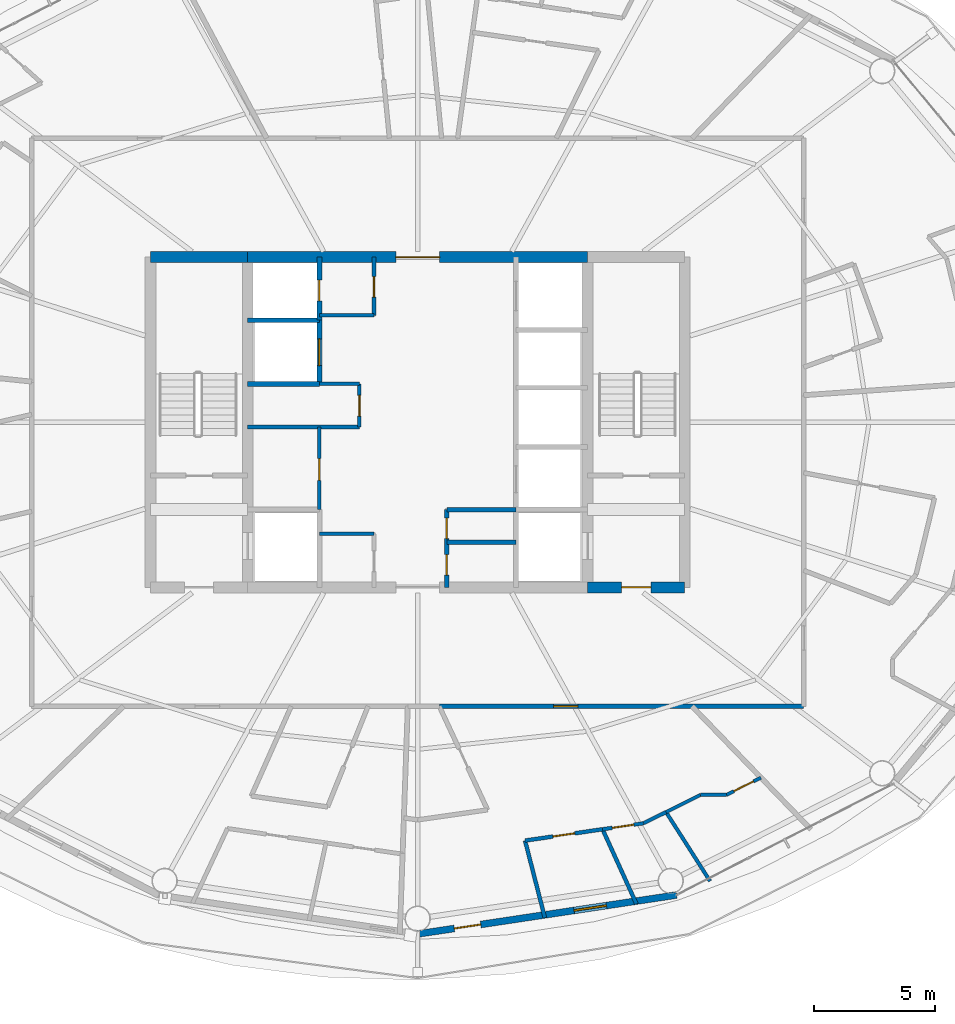
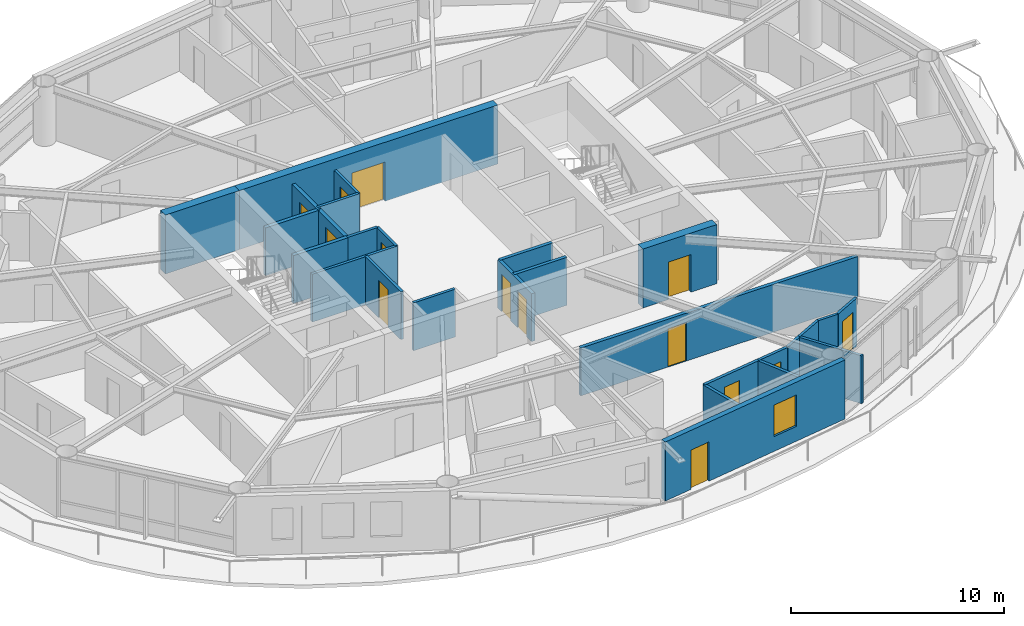
# One storey, part 21 of 27: 28 walls, 14 doors, 1 window, 15 openings.
"""IFC4 building model written with IfcOpenShell, lengths in metres."""

from ifc_helpers import new_model, si_unit, direction, frame, frame_2d, origin, place, context, subcontext, project, spatial, rectangle, extrude, material, layer, layer_set, type_object, element, fill, save


model = new_model("IFC4")

# Units and contexts
model_context = context("Model", 3, precision=1e-05, world=origin(), true_north=direction((0.0, 1.0)))
body_context = subcontext(model_context, "Body", "Model", "MODEL_VIEW")
ifc_project = project(units=[si_unit("LENGTHUNIT", "METRE"), si_unit("AREAUNIT", "SQUARE_METRE"), si_unit("VOLUMEUNIT", "CUBIC_METRE"), si_unit("PLANEANGLEUNIT", "RADIAN"), si_unit("MASSUNIT", "GRAM", prefix="KILO")], contexts=[model_context])

# Site, building, storey
site_placement = place(None, origin())
site = spatial("IfcSite", under=ifc_project, at=site_placement, CompositionType="ELEMENT")
building_placement = place(site_placement, origin())
building = spatial("IfcBuilding", under=site, at=building_placement, Name="Sarneth Arch Tower", CompositionType="ELEMENT")
storey_placement = place(building_placement, frame((0.0, 0.0, 157.800048828125)))
storey = spatial("IfcBuildingStorey", under=building, at=storey_placement, Name="L39", CompositionType="ELEMENT", Elevation=157.800048828125)

# Wall, opening, door
ifc_material_1 = material(Name="Concrete C50/60", Category="concrete")
ifc_layer_1 = layer(ifc_material_1, 0.449951171875)
ifc_layer_set_1 = layer_set([ifc_layer_1], Name="Concrete C50/60")
wall_type_1 = type_object("IfcWallType", Name="WALL-CORE-450", PredefinedType="SHEAR", material=ifc_layer_set_1)
wall_1_placement = place(storey_placement, frame((55.0, 35.199951171875, 0.0), z_axis=(0.0, 0.0, 1.0), x_axis=(1.0, 0.0, 0.0)))
wall_1 = element("IfcWall", 1, at=wall_1_placement, inside=storey, type_object=wall_type_1, Name="L39 Core shear wall S-E", PredefinedType="SHEAR", context=body_context, shape_type="SweptSolid", body=[
    extrude(rectangle(XDim=4.0, YDim=0.449951171875, at=frame_2d((2.0, 0.0))), origin(), (0.0, 0.0, 1.0), 3.3798828125),
])
opening_1_placement = place(wall_1_placement, frame((1.39990234375, 0.0, 0.0)))
opening_1 = element("IfcOpeningElement", 2, at=opening_1_placement, cuts=wall_1, Name="Opening FD-02", PredefinedType="OPENING", context=body_context, shape_type="SweptSolid", body=[
    extrude(rectangle(XDim=1.199951171875, YDim=2.14990234375, at=frame_2d((0.60009765625, 1.074951171875))), frame((0.0, 0.23486328125, 0.0), z_axis=(0.0, -1.0, 0.0), x_axis=(1.0, 0.0, 0.0)), (0.0, 0.0, 1.0), 0.469970703125),
])
ifc_material_2 = material(Name="Galvanised Steel S275 fire door set", Category="steel")
door_type_1 = type_object("IfcDoorType", Name="DR-FD90-1200", OperationType="SINGLE_SWING_LEFT", PredefinedType="DOOR", material=ifc_material_2)
door_1_placement = place(opening_1_placement, origin())
door_1 = element("IfcDoor", 3, at=door_1_placement, inside=storey, type_object=door_type_1, Name="L39 Firefighting lobby 2 exit door", OperationType="SINGLE_SWING_RIGHT", OverallHeight=2.14990234375, OverallWidth=1.199951171875, PredefinedType="DOOR", context=body_context, shape_type="SweptSolid", body=[
    extrude(rectangle(XDim=1.199951171875, YDim=2.14990234375, at=frame_2d((0.60009765625, 1.074951171875))), frame((0.0, 0.02490234375, 0.0), z_axis=(0.0, -1.0, 0.0), x_axis=(1.0, 0.0, 0.0)), (0.0, 0.0, 1.0), 0.050048828125),
])
fill(opening_1, door_1)

# Wall
wall_2_placement = place(storey_placement, frame((37.0, 48.800048828125, 0.0), z_axis=(0.0, 0.0, 1.0), x_axis=(1.0, 0.0, 0.0)))
element("IfcWall", 4, at=wall_2_placement, inside=storey, type_object=wall_type_1, Name="L39 Core shear wall N-W", PredefinedType="SHEAR", context=body_context, shape_type="SweptSolid", body=[
    extrude(rectangle(XDim=4.0, YDim=0.449951171875, at=frame_2d((2.0, 0.0))), origin(), (0.0, 0.0, 1.0), 3.3798828125),
])

# Wall, opening, door
wall_3_placement = place(storey_placement, frame((41.0, 48.800048828125, 0.0), z_axis=(0.0, 0.0, 1.0), x_axis=(1.0, 0.0, 0.0)))
wall_3 = element("IfcWall", 5, at=wall_3_placement, inside=storey, type_object=wall_type_1, Name="L39 Core shear wall N-M", PredefinedType="SHEAR", context=body_context, shape_type="SweptSolid", body=[
    extrude(rectangle(XDim=14.0, YDim=0.449951171875, at=frame_2d((7.0, 0.0))), origin(), (0.0, 0.0, 1.0), 3.3798828125),
])
opening_2_placement = place(wall_3_placement, frame((6.10009765625, 0.0, 0.0)))
opening_2 = element("IfcOpeningElement", 6, at=opening_2_placement, cuts=wall_3, Name="Opening FD-01", PredefinedType="OPENING", context=body_context, shape_type="SweptSolid", body=[
    extrude(rectangle(XDim=1.800048828125, YDim=2.25, at=frame_2d((0.89990234375, 1.125))), frame((0.0, 0.23486328125, 0.0), z_axis=(0.0, -1.0, 0.0), x_axis=(1.0, 0.0, 0.0)), (0.0, 0.0, 1.0), 0.469970703125),
])
ifc_material_3 = material(Name="Galvanised Steel S275 fire door set", Category="steel")
door_type_2 = type_object("IfcDoorType", Name="DR-FD90-1800", OperationType="DOUBLE_DOOR_SINGLE_SWING", PredefinedType="DOOR", material=ifc_material_3)
door_2_placement = place(opening_2_placement, origin())
door_2 = element("IfcDoor", 7, at=door_2_placement, inside=storey, type_object=door_type_2, Name="L39 Central lift lobby north door", OperationType="DOUBLE_DOOR_SINGLE_SWING", OverallHeight=2.25, OverallWidth=1.800048828125, PredefinedType="DOOR", context=body_context, shape_type="SweptSolid", body=[
    extrude(rectangle(XDim=1.800048828125, YDim=2.25, at=frame_2d((0.89990234375, 1.125))), frame((0.0, 0.02490234375, 0.0), z_axis=(0.0, -1.0, 0.0), x_axis=(1.0, 0.0, 0.0)), (0.0, 0.0, 1.0), 0.050048828125),
])
fill(opening_2, door_2)

ifc_material_4 = material(Name="Double steel-stud corridor fire wall", Category="steel")
ifc_layer_2 = layer(ifc_material_4, 0.18994140625)
ifc_layer_set_2 = layer_set([ifc_layer_2], Name="Double steel-stud corridor fire wall")
wall_type_2 = type_object("IfcWallType", Name="WALL-CORR-190", PredefinedType="PARTITIONING", material=ifc_layer_set_2)
wall_4_placement = place(storey_placement, frame((48.89111328125, 30.300048828125, 0.0), z_axis=(0.0, 0.0, 1.0), x_axis=(1.0, 0.0, 0.0)))
wall_4 = element("IfcWall", 8, at=wall_4_placement, inside=storey, type_object=wall_type_2, Name="L39 Interior partition W-L39-TP-021", PredefinedType="PARTITIONING", context=body_context, shape_type="SweptSolid", body=[
    extrude(rectangle(XDim=15.0087890625, YDim=0.18994140625, at=frame_2d((7.50439453125, 0.0))), origin(), (0.0, 0.0, 1.0), 2.739990234375),
])
opening_3_placement = place(wall_4_placement, frame((4.70361328125, 0.0, 0.0)))
opening_3 = element("IfcOpeningElement", 9, at=opening_3_placement, cuts=wall_4, Name="Opening FD-08", PredefinedType="OPENING", context=body_context, shape_type="SweptSolid", body=[
    extrude(rectangle(XDim=1.0, YDim=2.199951171875, at=frame_2d((0.5, 1.10009765625))), frame((0.0, 0.10498046875, 0.0), z_axis=(0.0, -1.0, 0.0), x_axis=(1.0, 0.0, 0.0)), (0.0, 0.0, 1.0), 0.2099609375),
])
ifc_material_5 = material(Name="Hardwood timber acoustic fire door", Category="wood")
door_type_3 = type_object("IfcDoorType", Name="DR-FD60-1000", OperationType="SINGLE_SWING_LEFT", PredefinedType="DOOR", material=ifc_material_5)
door_3_placement = place(opening_3_placement, origin())
door_3 = element("IfcDoor", 10, at=door_3_placement, inside=storey, type_object=door_type_3, Name="L39 Interior door DR-L39-U7-ENT", OperationType="SINGLE_SWING_LEFT", OverallHeight=2.199951171875, OverallWidth=1.0, PredefinedType="DOOR", context=body_context, shape_type="SweptSolid", body=[
    extrude(rectangle(XDim=1.0, YDim=2.199951171875, at=frame_2d((0.5, 1.10009765625))), frame((0.0, 0.02490234375, 0.0), z_axis=(0.0, -1.0, 0.0), x_axis=(1.0, 0.0, 0.0)), (0.0, 0.0, 1.0), 0.050048828125),
])
fill(opening_3, door_3)

# Wall, openings, door, window
ifc_material_6 = material(Name="Extruded terracotta rainscreen on Concrete C40/50 backing", Category="masonry")
ifc_layer_3 = layer(ifc_material_6, 0.280029296875)
ifc_layer_set_3 = layer_set([ifc_layer_3], Name="Extruded terracotta rainscreen on Concrete C40/50 backing")
wall_type_3 = type_object("IfcWallType", Name="WALL-EXT-TERRA-280", PredefinedType="SOLIDWALL", material=ifc_layer_set_3)
wall_5_placement = place(storey_placement, frame((48.0, 20.919921875, 0.0), z_axis=(0.0, 0.0, 1.0), x_axis=(0.988863993413, 0.148822049884, 0.0)))
wall_5 = element("IfcWall", 11, at=wall_5_placement, inside=storey, type_object=wall_type_3, Name="L39 Terracotta perimeter wall 13", PredefinedType="SOLIDWALL", context=body_context, shape_type="SweptSolid", body=[
    extrude(rectangle(XDim=10.782958984375, YDim=0.280029296875, at=frame_2d((5.3916015625, 0.0))), origin(), (0.0, 0.0, 1.0), 3.3798828125),
])
opening_4_placement = place(wall_5_placement, frame((1.523681640625, 0.0, 0.0)))
opening_4 = element("IfcOpeningElement", 12, at=opening_4_placement, cuts=wall_5, Name="Opening BD-3", PredefinedType="OPENING", context=body_context, shape_type="SweptSolid", body=[
    extrude(rectangle(XDim=1.10009765625, YDim=2.25, at=frame_2d((0.550048828125, 1.125))), frame((0.0, 0.14990234375, 0.0), z_axis=(0.0, -1.0, 0.0), x_axis=(1.0, 0.0, 0.0)), (0.0, 0.0, 1.0), 0.300048828125),
])
opening_5_placement = place(wall_5_placement, frame((6.51220703125, 0.0, 0.85009765625)))
opening_5 = element("IfcOpeningElement", 13, at=opening_5_placement, cuts=wall_5, Name="Opening W-08", PredefinedType="OPENING", context=body_context, shape_type="SweptSolid", body=[
    extrude(rectangle(XDim=1.35009765625, YDim=1.800048828125, at=frame_2d((0.675048828125, 0.89990234375))), frame((0.0, 0.14990234375, 0.0), z_axis=(0.0, -1.0, 0.0), x_axis=(1.0, 0.0, 0.0)), (0.0, 0.0, 1.0), 0.300048828125),
])
ifc_material_7 = material(Name="Thermally broken Aluminium 6063-T6 and laminated safety glass", Category="aluminium")
door_type_4 = type_object("IfcDoorType", Name="DR-BALC-GLZ-1100", OperationType="SINGLE_SWING_LEFT", PredefinedType="DOOR", material=ifc_material_7)
door_4_placement = place(opening_4_placement, origin())
door_4 = element("IfcDoor", 14, at=door_4_placement, inside=storey, type_object=door_type_4, Name="L39 Balcony glazed door 13", OperationType="SINGLE_SWING_LEFT", OverallHeight=2.25, OverallWidth=1.10009765625, PredefinedType="DOOR", context=body_context, shape_type="SweptSolid", body=[
    extrude(rectangle(XDim=1.10009765625, YDim=2.25, at=frame_2d((0.550048828125, 1.125))), frame((0.0, 0.02490234375, 0.0), z_axis=(0.0, -1.0, 0.0), x_axis=(1.0, 0.0, 0.0)), (0.0, 0.0, 1.0), 0.050048828125),
])
fill(opening_4, door_4)
ifc_material_8 = material(Name="Thermally broken Aluminium 6063-T6 and low-e laminated IGU", Category="aluminium")
window_type = type_object("IfcWindowType", Name="WIN-TWR-1350x1800", PartitioningType="SINGLE_PANEL", PredefinedType="WINDOW", material=ifc_material_8)
window_placement = place(opening_5_placement, origin())
window = element("IfcWindow", 15, at=window_placement, inside=storey, type_object=window_type, Name="L39 Exterior window 13A", OverallHeight=1.800048828125, OverallWidth=1.35009765625, PartitioningType="SINGLE_PANEL", PredefinedType="WINDOW", context=body_context, shape_type="SweptSolid", body=[
    extrude(rectangle(XDim=1.35009765625, YDim=1.800048828125, at=frame_2d((0.675048828125, 0.89990234375))), frame((0.0, 0.030029296875, 0.0), z_axis=(0.0, -1.0, 0.0), x_axis=(1.0, 0.0, 0.0)), (0.0, 0.0, 1.0), 0.06005859375),
])
fill(opening_5, window)

# Wall, opening, door
ifc_material_9 = material(Name="Apartment internal stud partition", Category="gypsum")
ifc_layer_4 = layer(ifc_material_9, 0.139892578125)
ifc_layer_set_4 = layer_set([ifc_layer_4], Name="Apartment internal stud partition")
wall_type_4 = type_object("IfcWallType", Name="WALL-PART-140", PredefinedType="PARTITIONING", material=ifc_layer_set_4)
wall_6_placement = place(storey_placement, frame((60.71337890625, 26.64990234375, 0.0), z_axis=(0.0, 0.0, 1.0), x_axis=(0.894917522296, 0.446231585937, 0.0)))
wall_6 = element("IfcWall", 16, at=wall_6_placement, inside=storey, type_object=wall_type_4, Name="L39 Interior partition W-L39-TP-096", PredefinedType="PARTITIONING", context=body_context, shape_type="SweptSolid", body=[
    extrude(rectangle(XDim=1.591552734375, YDim=0.139892578125, at=frame_2d((0.7958984375, 0.0))), origin(), (0.0, 0.0, 1.0), 2.739990234375),
])
opening_6_placement = place(wall_6_placement, frame((0.345703125, 0.0, 0.0)))
opening_6 = element("IfcOpeningElement", 17, at=opening_6_placement, cuts=wall_6, Name="Opening ID-01", PredefinedType="OPENING", context=body_context, shape_type="SweptSolid", body=[
    extrude(rectangle(XDim=0.89990234375, YDim=2.10009765625, at=frame_2d((0.449951171875, 1.050048828125))), frame((0.0, 0.079833984375, 0.0), z_axis=(0.0, -1.0, 0.0), x_axis=(1.0, 0.0, 0.0)), (0.0, 0.0, 1.0), 0.159912109375),
])
ifc_material_10 = material(Name="Engineered hardwood flush door", Category="wood")
door_type_5 = type_object("IfcDoorType", Name="DR-INT-900", OperationType="SINGLE_SWING_LEFT", PredefinedType="DOOR", material=ifc_material_10)
door_5_placement = place(opening_6_placement, origin())
door_5 = element("IfcDoor", 18, at=door_5_placement, inside=storey, type_object=door_type_5, Name="L39 Interior door DR-L39-U7-BED2", OperationType="SINGLE_SWING_RIGHT", OverallHeight=2.10009765625, OverallWidth=0.89990234375, PredefinedType="DOOR", context=body_context, shape_type="SweptSolid", body=[
    extrude(rectangle(XDim=0.89990234375, YDim=2.10009765625, at=frame_2d((0.449951171875, 1.050048828125))), frame((0.0, 0.02490234375, 0.0), z_axis=(0.0, -1.0, 0.0), x_axis=(1.0, 0.0, 0.0)), (0.0, 0.0, 1.0), 0.050048828125),
])
fill(opening_6, door_5)

# Walls
wall_7_placement = place(storey_placement, frame((58.22998046875, 25.94189453125, 0.0), z_axis=(0.0, 0.0, 1.0), x_axis=(0.895072075717, 0.445921494516, 0.0)))
element("IfcWall", 19, at=wall_7_placement, inside=storey, type_object=wall_type_4, Name="L39 Interior partition W-L39-TP-094", PredefinedType="PARTITIONING", context=body_context, shape_type="SweptSolid", body=[
    extrude(rectangle(XDim=1.587646484375, YDim=0.139892578125, at=frame_2d((0.7939453125, 0.0))), origin(), (0.0, 0.0, 1.0), 2.739990234375),
])
wall_8_placement = place(storey_placement, frame((59.651123046875, 26.64990234375, 0.0), z_axis=(0.0, 0.0, 1.0), x_axis=(1.0, 0.0, 0.0)))
element("IfcWall", 20, at=wall_8_placement, inside=storey, type_object=wall_type_4, Name="L39 Interior partition W-L39-TP-095", PredefinedType="PARTITIONING", context=body_context, shape_type="SweptSolid", body=[
    extrude(rectangle(XDim=1.062255859375, YDim=0.139892578125, at=frame_2d((0.53125, 0.0))), origin(), (0.0, 0.0, 1.0), 2.739990234375),
])

# Wall, opening, door
ifc_material_11 = material(Name="Acoustic gypsum stud partition", Category="gypsum")
ifc_layer_5 = layer(ifc_material_11, 0.14990234375)
ifc_layer_set_5 = layer_set([ifc_layer_5], Name="Acoustic gypsum stud partition")
wall_type_5 = type_object("IfcWallType", Name="WALL-PART-150", PredefinedType="PARTITIONING", material=ifc_layer_set_5)
wall_9_placement = place(storey_placement, frame((43.949951171875, 38.39990234375, 0.0), z_axis=(0.0, 0.0, 1.0), x_axis=(0.0, 1.0, 0.0)))
wall_9 = element("IfcWall", 21, at=wall_9_placement, inside=storey, type_object=wall_type_5, Name="L39 Interior partition W-L39-RECPL-E1", PredefinedType="PARTITIONING", context=body_context, shape_type="SweptSolid", body=[
    extrude(rectangle(XDim=3.400146484375, YDim=0.14990234375, at=frame_2d((1.7001953125, 0.0))), origin(), (0.0, 0.0, 1.0), 2.739990234375),
])
opening_7_placement = place(wall_9_placement, frame((1.199951171875, 0.0, 0.0)))
opening_7 = element("IfcOpeningElement", 22, at=opening_7_placement, cuts=wall_9, Name="Opening FD-10", PredefinedType="OPENING", context=body_context, shape_type="SweptSolid", body=[
    extrude(rectangle(XDim=0.89990234375, YDim=2.14990234375, at=frame_2d((0.449951171875, 1.074951171875))), frame((0.0, 0.0849609375, 0.0), z_axis=(0.0, -1.0, 0.0), x_axis=(1.0, 0.0, 0.0)), (0.0, 0.0, 1.0), 0.169921875),
])
ifc_material_12 = material(Name="Galvanised Steel S275 riser/service fire door", Category="steel")
door_type_6 = type_object("IfcDoorType", Name="DR-FD60-900", OperationType="SINGLE_SWING_LEFT", PredefinedType="DOOR", material=ifc_material_12)
door_6_placement = place(opening_7_placement, origin())
door_6 = element("IfcDoor", 23, at=door_6_placement, inside=storey, type_object=door_type_6, Name="L39 Interior door DR-L39-RECPL1", OperationType="SINGLE_SWING_LEFT", OverallHeight=2.14990234375, OverallWidth=0.89990234375, PredefinedType="DOOR", context=body_context, shape_type="SweptSolid", body=[
    extrude(rectangle(XDim=0.89990234375, YDim=2.14990234375, at=frame_2d((0.449951171875, 1.074951171875))), frame((0.0, 0.02490234375, 0.0), z_axis=(0.0, -1.0, 0.0), x_axis=(1.0, 0.0, 0.0)), (0.0, 0.0, 1.0), 0.050048828125),
])
fill(opening_7, door_6)

# Walls
wall_10_placement = place(storey_placement, frame((41.0, 41.800048828125, 0.0), z_axis=(0.0, 0.0, 1.0), x_axis=(1.0, 0.0, 0.0)))
element("IfcWall", 24, at=wall_10_placement, inside=storey, type_object=wall_type_5, Name="L39 Interior partition W-L39-RECPL-S2", PredefinedType="PARTITIONING", context=body_context, shape_type="SweptSolid", body=[
    extrude(rectangle(XDim=4.60009765625, YDim=0.14990234375, at=frame_2d((2.300048828125, 0.0))), origin(), (0.0, 0.0, 1.0), 2.739990234375),
])
wall_11_placement = place(storey_placement, frame((43.949951171875, 43.580078125, 0.0), z_axis=(0.0, 0.0, 1.0), x_axis=(1.0, 0.0, 0.0)))
element("IfcWall", 25, at=wall_11_placement, inside=storey, type_object=wall_type_5, Name="L39 Interior partition W-L39-RECPL-N2", PredefinedType="PARTITIONING", context=body_context, shape_type="SweptSolid", body=[
    extrude(rectangle(XDim=1.650146484375, YDim=0.14990234375, at=frame_2d((0.8251953125, 0.0))), origin(), (0.0, 0.0, 1.0), 2.739990234375),
])

# Wall, opening, door
wall_12_placement = place(storey_placement, frame((45.60009765625, 41.800048828125, 0.0), z_axis=(0.0, 0.0, 1.0), x_axis=(0.0, 1.0, 0.0)))
wall_12 = element("IfcWall", 26, at=wall_12_placement, inside=storey, type_object=wall_type_5, Name="L39 Interior partition W-L39-RECPL-E2", PredefinedType="PARTITIONING", context=body_context, shape_type="SweptSolid", body=[
    extrude(rectangle(XDim=1.780029296875, YDim=0.14990234375, at=frame_2d((0.89013671875, 0.0))), origin(), (0.0, 0.0, 1.0), 2.739990234375),
])
opening_8_placement = place(wall_12_placement, frame((0.449951171875, 0.0, 0.0)))
opening_8 = element("IfcOpeningElement", 27, at=opening_8_placement, cuts=wall_12, Name="Opening FD-11", PredefinedType="OPENING", context=body_context, shape_type="SweptSolid", body=[
    extrude(rectangle(XDim=0.85009765625, YDim=2.14990234375, at=frame_2d((0.425048828125, 1.074951171875))), frame((0.0, 0.0849609375, 0.0), z_axis=(0.0, -1.0, 0.0), x_axis=(1.0, 0.0, 0.0)), (0.0, 0.0, 1.0), 0.169921875),
])
ifc_material_13 = material(Name="Galvanised Steel S275 closet fire door", Category="steel")
door_type_7 = type_object("IfcDoorType", Name="DR-FD60-850", OperationType="SINGLE_SWING_LEFT", PredefinedType="DOOR", material=ifc_material_13)
door_7_placement = place(opening_8_placement, origin())
door_7 = element("IfcDoor", 28, at=door_7_placement, inside=storey, type_object=door_type_7, Name="L39 Interior door DR-L39-RECPL2", OperationType="SINGLE_SWING_RIGHT", OverallHeight=2.14990234375, OverallWidth=0.85009765625, PredefinedType="DOOR", context=body_context, shape_type="SweptSolid", body=[
    extrude(rectangle(XDim=0.85009765625, YDim=2.14990234375, at=frame_2d((0.425048828125, 1.074951171875))), frame((0.0, 0.02490234375, 0.0), z_axis=(0.0, -1.0, 0.0), x_axis=(1.0, 0.0, 0.0)), (0.0, 0.0, 1.0), 0.050048828125),
])
fill(opening_8, door_7)

# Walls
for number, where, z_axis, x_axis, name in (
    (29, (43.949951171875, 37.39990234375, 0.0), (0.0, 0.0, 1.0), (1.0, 0.0, 0.0), "L39 Interior partition W-L39-CSUP1-N"),
    (30, (43.949951171875, 46.39990234375, 0.0), (0.0, 0.0, 1.0), (1.0, 0.0, 0.0), "L39 Interior partition W-L39-CSUP2-S"),
):
    element("IfcWall", number, at=place(storey_placement, frame(where, z_axis=z_axis, x_axis=x_axis)), inside=storey, type_object=wall_type_5, Name=name, PredefinedType="PARTITIONING", context=body_context, shape_type="SweptSolid", body=[
        extrude(rectangle(XDim=2.25, YDim=0.14990234375, at=frame_2d((1.125, 0.0))), origin(), (0.0, 0.0, 1.0), 2.739990234375),
    ])

# Wall, opening, door
wall_13_placement = place(storey_placement, frame((46.199951171875, 46.39990234375, 0.0), z_axis=(0.0, 0.0, 1.0), x_axis=(0.0, 1.0, 0.0)))
wall_13 = element("IfcWall", 31, at=wall_13_placement, inside=storey, type_object=wall_type_5, Name="L39 Interior partition W-L39-CSUP2-E", PredefinedType="PARTITIONING", context=body_context, shape_type="SweptSolid", body=[
    extrude(rectangle(XDim=2.400146484375, YDim=0.14990234375, at=frame_2d((1.2001953125, 0.0))), origin(), (0.0, 0.0, 1.0), 2.739990234375),
])
opening_9_placement = place(wall_13_placement, frame((0.75, 0.0, 0.0)))
opening_9 = element("IfcOpeningElement", 32, at=opening_9_placement, cuts=wall_13, Name="Opening FD-11", PredefinedType="OPENING", context=body_context, shape_type="SweptSolid", body=[
    extrude(rectangle(XDim=0.85009765625, YDim=2.14990234375, at=frame_2d((0.425048828125, 1.074951171875))), frame((0.0, 0.0849609375, 0.0), z_axis=(0.0, -1.0, 0.0), x_axis=(1.0, 0.0, 0.0)), (0.0, 0.0, 1.0), 0.169921875),
])
door_8_placement = place(opening_9_placement, origin())
door_8 = element("IfcDoor", 33, at=door_8_placement, inside=storey, type_object=door_type_7, Name="L39 Interior door DR-L39-CSUP2", OperationType="SINGLE_SWING_RIGHT", OverallHeight=2.14990234375, OverallWidth=0.85009765625, PredefinedType="DOOR", context=body_context, shape_type="SweptSolid", body=[
    extrude(rectangle(XDim=0.85009765625, YDim=2.14990234375, at=frame_2d((0.425048828125, 1.074951171875))), frame((0.0, 0.02490234375, 0.0), z_axis=(0.0, -1.0, 0.0), x_axis=(1.0, 0.0, 0.0)), (0.0, 0.0, 1.0), 0.050048828125),
])
fill(opening_9, door_8)

# Wall
wall_14_placement = place(storey_placement, frame((60.042236328125, 23.097412109375, 0.0), z_axis=(0.0, 0.0, 1.0), x_axis=(-0.537325063909, 0.843375228291, 0.0)))
element("IfcWall", 34, at=wall_14_placement, inside=storey, type_object=wall_type_5, Name="L39 Interior partition W-L39-TP-099", PredefinedType="PARTITIONING", context=body_context, shape_type="SweptSolid", body=[
    extrude(rectangle(XDim=3.372802734375, YDim=0.14990234375, at=frame_2d((1.6865234375, 0.0))), origin(), (0.0, 0.0, 1.0), 2.739990234375),
])

# Wall, opening, door
wall_15_placement = place(storey_placement, frame((55.614501953125, 25.23388671875, 0.0), z_axis=(0.0, 0.0, 1.0), x_axis=(0.98949000448, 0.144601282965, 0.0)))
wall_15 = element("IfcWall", 35, at=wall_15_placement, inside=storey, type_object=wall_type_5, Name="L39 Interior partition W-L39-TP-092", PredefinedType="PARTITIONING", context=body_context, shape_type="SweptSolid", body=[
    extrude(rectangle(XDim=1.708740234375, YDim=0.14990234375, at=frame_2d((0.8544921875, 0.0))), origin(), (0.0, 0.0, 1.0), 2.739990234375),
])
opening_10_placement = place(wall_15_placement, frame((0.404296875, 0.0, 0.0)))
opening_10 = element("IfcOpeningElement", 36, at=opening_10_placement, cuts=wall_15, Name="Opening ID-01", PredefinedType="OPENING", context=body_context, shape_type="SweptSolid", body=[
    extrude(rectangle(XDim=0.89990234375, YDim=2.10009765625, at=frame_2d((0.449951171875, 1.050048828125))), frame((0.0, 0.0849609375, 0.0), z_axis=(0.0, -1.0, 0.0), x_axis=(1.0, 0.0, 0.0)), (0.0, 0.0, 1.0), 0.169921875),
])
door_9_placement = place(opening_10_placement, origin())
door_9 = element("IfcDoor", 37, at=door_9_placement, inside=storey, type_object=door_type_5, Name="L39 Interior door DR-L39-U7-BED1", OperationType="SINGLE_SWING_RIGHT", OverallHeight=2.10009765625, OverallWidth=0.89990234375, PredefinedType="DOOR", context=body_context, shape_type="SweptSolid", body=[
    extrude(rectangle(XDim=0.89990234375, YDim=2.10009765625, at=frame_2d((0.449951171875, 1.050048828125))), frame((0.0, 0.02490234375, 0.0), z_axis=(0.0, -1.0, 0.0), x_axis=(1.0, 0.0, 0.0)), (0.0, 0.0, 1.0), 0.050048828125),
])
fill(opening_10, door_9)

# Walls
wall_16_placement = place(storey_placement, frame((57.30517578125, 25.48095703125, 0.0), z_axis=(0.0, 0.0, 1.0), x_axis=(0.894993521752, 0.446079136502, 0.0)))
element("IfcWall", 38, at=wall_16_placement, inside=storey, type_object=wall_type_5, Name="L39 Interior partition W-L39-TP-093", PredefinedType="PARTITIONING", context=body_context, shape_type="SweptSolid", body=[
    extrude(rectangle(XDim=1.033203125, YDim=0.14990234375, at=frame_2d((0.5166015625, 0.0))), origin(), (0.0, 0.0, 1.0), 2.739990234375),
])
ifc_material_14 = material(Name="Kitchen wet service chase wall", Category="gypsum")
ifc_layer_6 = layer(ifc_material_14, 0.159912109375)
ifc_layer_set_6 = layer_set([ifc_layer_6], Name="Kitchen wet service chase wall")
wall_type_6 = type_object("IfcWallType", Name="WALL-PLUMB-160", PredefinedType="PLUMBINGWALL", material=ifc_layer_set_6)
wall_17_placement = place(storey_placement, frame((57.0107421875, 22.1591796875, 0.0), z_axis=(0.0, 0.0, 1.0), x_axis=(-0.413470644354, 0.910517449727, 0.0)))
element("IfcWall", 39, at=wall_17_placement, inside=storey, type_object=wall_type_6, Name="L39 Interior partition W-L39-TP-098", PredefinedType="PLUMBINGWALL", context=body_context, shape_type="SweptSolid", body=[
    extrude(rectangle(XDim=3.376953125, YDim=0.159912109375, at=frame_2d((1.6884765625, 0.0))), origin(), (0.0, 0.0, 1.0), 2.739990234375),
])
wall_18_placement = place(storey_placement, frame((53.238525390625, 21.587646484375, 0.0), z_axis=(0.0, 0.0, 1.0), x_axis=(-0.248586515582, 0.96860969656, 0.0)))
element("IfcWall", 40, at=wall_18_placement, inside=storey, type_object=wall_type_6, Name="L39 Interior partition W-L39-TP-087", PredefinedType="PLUMBINGWALL", context=body_context, shape_type="SweptSolid", body=[
    extrude(rectangle(XDim=3.2822265625, YDim=0.159912109375, at=frame_2d((1.64111328125, 0.0))), origin(), (0.0, 0.0, 1.0), 2.739990234375),
])

# Wall, opening, door
wall_19_placement = place(storey_placement, frame((52.422607421875, 24.766845703125, 0.0), z_axis=(0.0, 0.0, 1.0), x_axis=(0.989463973078, 0.144779300941, 0.0)))
wall_19 = element("IfcWall", 41, at=wall_19_placement, inside=storey, type_object=wall_type_6, Name="L39 Interior partition W-L39-TP-088", PredefinedType="PLUMBINGWALL", context=body_context, shape_type="SweptSolid", body=[
    extrude(rectangle(XDim=3.225830078125, YDim=0.159912109375, at=frame_2d((1.61279296875, 0.0))), origin(), (0.0, 0.0, 1.0), 2.739990234375),
])
opening_11_placement = place(wall_19_placement, frame((1.162841796875, 0.0, 0.0)))
opening_11 = element("IfcOpeningElement", 42, at=opening_11_placement, cuts=wall_19, Name="Opening ID-01", PredefinedType="OPENING", context=body_context, shape_type="SweptSolid", body=[
    extrude(rectangle(XDim=0.89990234375, YDim=2.10009765625, at=frame_2d((0.449951171875, 1.050048828125))), frame((0.0, 0.08984375, 0.0), z_axis=(0.0, -1.0, 0.0), x_axis=(1.0, 0.0, 0.0)), (0.0, 0.0, 1.0), 0.179931640625),
])
door_10_placement = place(opening_11_placement, origin())
door_10 = element("IfcDoor", 43, at=door_10_placement, inside=storey, type_object=door_type_5, Name="L39 Interior door DR-L39-U7-KIT", OperationType="SINGLE_SWING_LEFT", OverallHeight=2.10009765625, OverallWidth=0.89990234375, PredefinedType="DOOR", context=body_context, shape_type="SweptSolid", body=[
    extrude(rectangle(XDim=0.89990234375, YDim=2.10009765625, at=frame_2d((0.449951171875, 1.050048828125))), frame((0.0, 0.02490234375, 0.0), z_axis=(0.0, -1.0, 0.0), x_axis=(1.0, 0.0, 0.0)), (0.0, 0.0, 1.0), 0.050048828125),
])
fill(opening_11, door_10)

# Walls
ifc_material_15 = material(Name="Moisture-resistant plumbing chase wall", Category="gypsum")
ifc_layer_7 = layer(ifc_material_15, 0.179931640625)
ifc_layer_set_7 = layer_set([ifc_layer_7], Name="Moisture-resistant plumbing chase wall")
wall_type_7 = type_object("IfcWallType", Name="WALL-PLUMB-180", PredefinedType="PLUMBINGWALL", material=ifc_layer_set_7)
for number, where, z_axis, x_axis, name in (
    (44, (49.199951171875, 37.050048828125, 0.0), (0.0, 0.0, 1.0), (1.0, 0.0, 0.0), "L39 Interior partition W-L39-AWC-M"),
    (45, (49.199951171875, 38.39990234375, 0.0), (0.0, 0.0, 1.0), (1.0, 0.0, 0.0), "L39 Interior partition W-L39-AWC-N"),
):
    element("IfcWall", number, at=place(storey_placement, frame(where, z_axis=z_axis, x_axis=x_axis)), inside=storey, type_object=wall_type_7, Name=name, PredefinedType="PLUMBINGWALL", context=body_context, shape_type="SweptSolid", body=[
        extrude(rectangle(XDim=2.85009765625, YDim=0.179931640625, at=frame_2d((1.425048828125, 0.0))), origin(), (0.0, 0.0, 1.0), 2.739990234375),
    ])

# Wall, openings, doors
wall_20_placement = place(storey_placement, frame((49.199951171875, 35.199951171875, 0.0), z_axis=(0.0, 0.0, 1.0), x_axis=(0.0, 1.0, 0.0)))
wall_20 = element("IfcWall", 46, at=wall_20_placement, inside=storey, type_object=wall_type_7, Name="L39 Interior partition W-L39-AWC-W", PredefinedType="PLUMBINGWALL", context=body_context, shape_type="SweptSolid", body=[
    extrude(rectangle(XDim=3.199951171875, YDim=0.179931640625, at=frame_2d((1.60009765625, 0.0))), origin(), (0.0, 0.0, 1.0), 2.739990234375),
])
opening_12_placement = place(wall_20_placement, frame((0.5, 0.0, 0.0)))
opening_12 = element("IfcOpeningElement", 47, at=opening_12_placement, cuts=wall_20, Name="Opening ID-02", PredefinedType="OPENING", context=body_context, shape_type="SweptSolid", body=[
    extrude(rectangle(XDim=0.85009765625, YDim=2.10009765625, at=frame_2d((0.425048828125, 1.050048828125))), frame((0.0, 0.099853515625, 0.0), z_axis=(0.0, -1.0, 0.0), x_axis=(1.0, 0.0, 0.0)), (0.0, 0.0, 1.0), 0.199951171875),
])
opening_13_placement = place(wall_20_placement, frame((2.0, 0.0, 0.0)))
opening_13 = element("IfcOpeningElement", 48, at=opening_13_placement, cuts=wall_20, Name="Opening FD-11", PredefinedType="OPENING", context=body_context, shape_type="SweptSolid", body=[
    extrude(rectangle(XDim=0.85009765625, YDim=2.14990234375, at=frame_2d((0.425048828125, 1.074951171875))), frame((0.0, 0.099853515625, 0.0), z_axis=(0.0, -1.0, 0.0), x_axis=(1.0, 0.0, 0.0)), (0.0, 0.0, 1.0), 0.199951171875),
])
door_11_placement = place(opening_13_placement, origin())
door_11 = element("IfcDoor", 49, at=door_11_placement, inside=storey, type_object=door_type_7, Name="L39 Interior door DR-L39-CSUP3", OperationType="SINGLE_SWING_LEFT", OverallHeight=2.14990234375, OverallWidth=0.85009765625, PredefinedType="DOOR", context=body_context, shape_type="SweptSolid", body=[
    extrude(rectangle(XDim=0.85009765625, YDim=2.14990234375, at=frame_2d((0.425048828125, 1.074951171875))), frame((0.0, 0.02490234375, 0.0), z_axis=(0.0, -1.0, 0.0), x_axis=(1.0, 0.0, 0.0)), (0.0, 0.0, 1.0), 0.050048828125),
])
fill(opening_13, door_11)
ifc_material_16 = material(Name="Moisture-resistant bathroom timber door", Category="wood")
door_type_8 = type_object("IfcDoorType", Name="DR-INT-850", OperationType="SINGLE_SWING_RIGHT", PredefinedType="DOOR", material=ifc_material_16)
door_12_placement = place(opening_12_placement, origin())
door_12 = element("IfcDoor", 50, at=door_12_placement, inside=storey, type_object=door_type_8, Name="L39 Interior door DR-L39-AWC", OperationType="SINGLE_SWING_RIGHT", OverallHeight=2.10009765625, OverallWidth=0.85009765625, PredefinedType="DOOR", context=body_context, shape_type="SweptSolid", body=[
    extrude(rectangle(XDim=0.85009765625, YDim=2.10009765625, at=frame_2d((0.425048828125, 1.050048828125))), frame((0.0, 0.02490234375, 0.0), z_axis=(0.0, -1.0, 0.0), x_axis=(1.0, 0.0, 0.0)), (0.0, 0.0, 1.0), 0.050048828125),
])
fill(opening_12, door_12)

# Wall
ifc_material_17 = material(Name="Aerated concrete blockwork C25/30", Category="masonry")
ifc_layer_8 = layer(ifc_material_17, 0.199951171875)
ifc_layer_set_8 = layer_set([ifc_layer_8], Name="Aerated concrete blockwork C25/30")
wall_type_8 = type_object("IfcWallType", Name="WALL-SHAFT-200", PredefinedType="SOLIDWALL", material=ifc_layer_set_8)
wall_21_placement = place(storey_placement, frame((41.0, 46.199951171875, 0.0), z_axis=(0.0, 0.0, 1.0), x_axis=(1.0, 0.0, 0.0)))
element("IfcWall", 51, at=wall_21_placement, inside=storey, type_object=wall_type_8, Name="L39 Interior partition W-L39-RISER-S", PredefinedType="SOLIDWALL", context=body_context, shape_type="SweptSolid", body=[
    extrude(rectangle(XDim=2.949951171875, YDim=0.199951171875, at=frame_2d((1.47509765625, 0.0))), origin(), (0.0, 0.0, 1.0), 2.739990234375),
])

# Wall, opening, door
wall_22_placement = place(storey_placement, frame((43.949951171875, 46.199951171875, 0.0), z_axis=(0.0, 0.0, 1.0), x_axis=(0.0, 1.0, 0.0)))
wall_22 = element("IfcWall", 52, at=wall_22_placement, inside=storey, type_object=wall_type_8, Name="L39 Interior partition W-L39-RISER-E", PredefinedType="SOLIDWALL", context=body_context, shape_type="SweptSolid", body=[
    extrude(rectangle(XDim=2.60009765625, YDim=0.199951171875, at=frame_2d((1.300048828125, 0.0))), origin(), (0.0, 0.0, 1.0), 2.739990234375),
])
opening_14_placement = place(wall_22_placement, frame((0.800048828125, 0.0, 0.0)))
opening_14 = element("IfcOpeningElement", 53, at=opening_14_placement, cuts=wall_22, Name="Opening FD-11", PredefinedType="OPENING", context=body_context, shape_type="SweptSolid", body=[
    extrude(rectangle(XDim=0.85009765625, YDim=2.14990234375, at=frame_2d((0.425048828125, 1.074951171875))), frame((0.0, 0.10986328125, 0.0), z_axis=(0.0, -1.0, 0.0), x_axis=(1.0, 0.0, 0.0)), (0.0, 0.0, 1.0), 0.219970703125),
])
door_13_placement = place(opening_14_placement, origin())
door_13 = element("IfcDoor", 54, at=door_13_placement, inside=storey, type_object=door_type_7, Name="L39 Lift landing door DR-L39-RISER", OperationType="SINGLE_SWING_LEFT", OverallHeight=2.14990234375, OverallWidth=0.85009765625, PredefinedType="DOOR", context=body_context, shape_type="SweptSolid", body=[
    extrude(rectangle(XDim=0.85009765625, YDim=2.14990234375, at=frame_2d((0.425048828125, 1.074951171875))), frame((0.0, 0.02490234375, 0.0), z_axis=(0.0, -1.0, 0.0), x_axis=(1.0, 0.0, 0.0)), (0.0, 0.0, 1.0), 0.050048828125),
])
fill(opening_14, door_13)

# Wall
wall_23_placement = place(storey_placement, frame((41.0, 43.580078125, 0.0), z_axis=(0.0, 0.0, 1.0), x_axis=(1.0, 0.0, 0.0)))
element("IfcWall", 55, at=wall_23_placement, inside=storey, type_object=wall_type_8, Name="L39 Interior partition W-L39-PM1-S", PredefinedType="SOLIDWALL", context=body_context, shape_type="SweptSolid", body=[
    extrude(rectangle(XDim=2.949951171875, YDim=0.199951171875, at=frame_2d((1.47509765625, 0.0))), origin(), (0.0, 0.0, 1.0), 2.739990234375),
])

# Wall, opening, door
wall_24_placement = place(storey_placement, frame((43.949951171875, 43.580078125, 0.0), z_axis=(0.0, 0.0, 1.0), x_axis=(0.0, 1.0, 0.0)))
wall_24 = element("IfcWall", 56, at=wall_24_placement, inside=storey, type_object=wall_type_8, Name="L39 Interior partition W-L39-PM1-FRONT", PredefinedType="SOLIDWALL", context=body_context, shape_type="SweptSolid", body=[
    extrude(rectangle(XDim=2.619873046875, YDim=0.199951171875, at=frame_2d((1.31005859375, 0.0))), origin(), (0.0, 0.0, 1.0), 2.739990234375),
])
opening_15_placement = place(wall_24_placement, frame((0.75, 0.0, 0.0)))
opening_15 = element("IfcOpeningElement", 57, at=opening_15_placement, cuts=wall_24, Name="Opening LD-1", PredefinedType="OPENING", context=body_context, shape_type="SweptSolid", body=[
    extrude(rectangle(XDim=1.10009765625, YDim=2.199951171875, at=frame_2d((0.550048828125, 1.10009765625))), frame((0.0, 0.10986328125, 0.0), z_axis=(0.0, -1.0, 0.0), x_axis=(1.0, 0.0, 0.0)), (0.0, 0.0, 1.0), 0.219970703125),
])
ifc_material_18 = material(Name="Brushed Stainless Steel 304 lift landing door", Category="steel")
door_type_9 = type_object("IfcDoorType", Name="DR-LIFT-SLIDE-1100", OperationType="SLIDING_TO_LEFT", PredefinedType="DOOR", material=ifc_material_18)
door_14_placement = place(opening_15_placement, origin())
door_14 = element("IfcDoor", 58, at=door_14_placement, inside=storey, type_object=door_type_9, Name="L39 Lift landing door DR-L39-LD-PM1", OperationType="SLIDING_TO_LEFT", OverallHeight=2.199951171875, OverallWidth=1.10009765625, PredefinedType="DOOR", context=body_context, shape_type="SweptSolid", body=[
    extrude(rectangle(XDim=1.10009765625, YDim=2.199951171875, at=frame_2d((0.550048828125, 1.10009765625))), frame((0.0, 0.02490234375, 0.0), z_axis=(0.0, -1.0, 0.0), x_axis=(1.0, 0.0, 0.0)), (0.0, 0.0, 1.0), 0.050048828125),
])
fill(opening_15, door_14)

save(model, "model.ifc")
